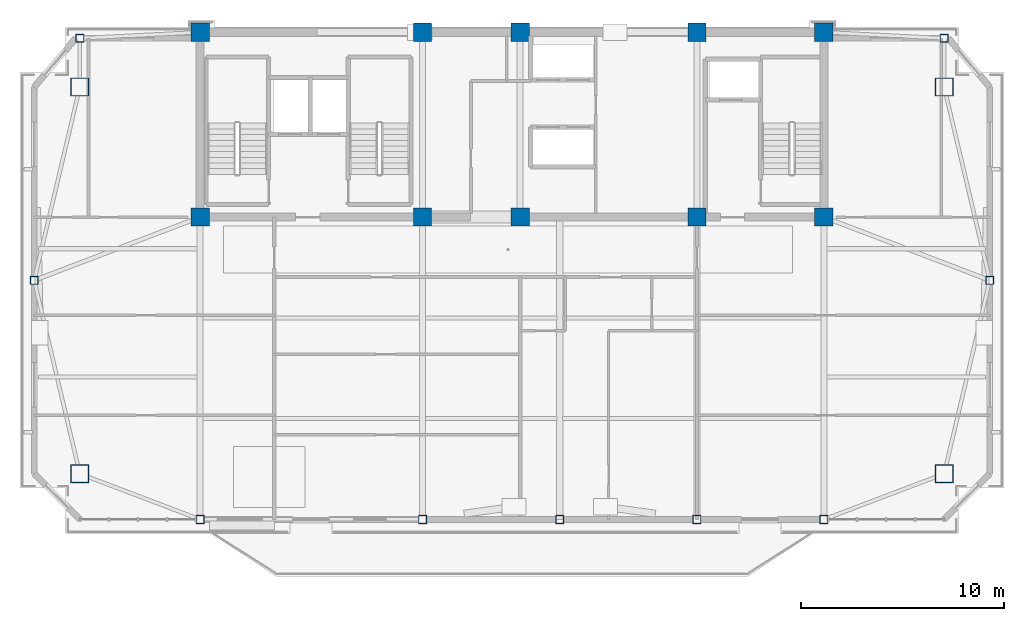
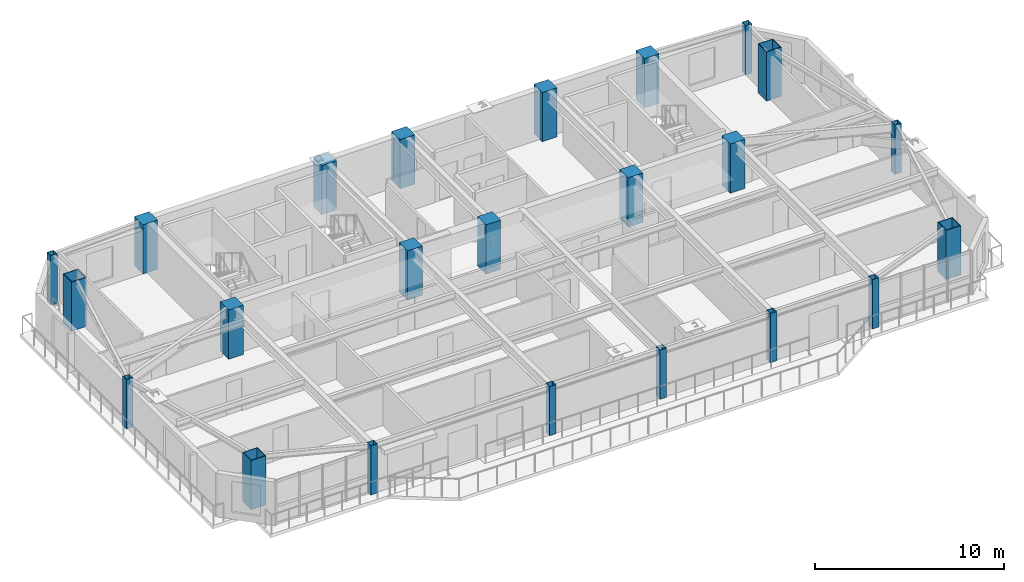
# One storey, part 1 of 12: 23 columns.
"""IFC4 building model written with IfcOpenShell, lengths in metres."""

from ifc_helpers import new_model, si_unit, direction, frame, origin, origin_2d, place, context, subcontext, project, spatial, rectangle, hollow_rectangle, extrude, source, transform, mapped, material, material_profile, profile_set, type_object, element, save


model = new_model("IFC4")

# Units and contexts
model_context = context("Model", 3, precision=1e-05, world=origin(), true_north=direction((0.0, 1.0)))
body_context = subcontext(model_context, "Body", "Model", "MODEL_VIEW")
ifc_project = project(units=[si_unit("LENGTHUNIT", "METRE"), si_unit("AREAUNIT", "SQUARE_METRE"), si_unit("VOLUMEUNIT", "CUBIC_METRE"), si_unit("PLANEANGLEUNIT", "RADIAN"), si_unit("MASSUNIT", "GRAM", prefix="KILO")], contexts=[model_context])

# Site, building, storey
site_placement = place(None, origin())
site = spatial("IfcSite", under=ifc_project, at=site_placement, CompositionType="ELEMENT")
building_placement = place(site_placement, origin())
building = spatial("IfcBuilding", under=site, at=building_placement, Name="Giltprow Tower", CompositionType="ELEMENT")
storey_placement = place(building_placement, frame((0.0, 0.0, 339.10009765625)))
storey = spatial("IfcBuildingStorey", under=building, at=storey_placement, Name="L88", CompositionType="ELEMENT", Elevation=339.10009765625)

# Columns
ifc_material_1 = material(Name="Concrete C45", Category="concrete")
ifc_material_profile_1 = material_profile(ifc_material_1, rectangle(XDim=0.89990234375, YDim=0.89990234375, at=origin_2d()), Name="RC 900x900")
ifc_profile_set_1 = profile_set([ifc_material_profile_1], Name="Concrete C45")
column_type_1 = type_object("IfcColumnType", Name="PIL-RC-900-C45", PredefinedType="PILASTER", material=ifc_profile_set_1)
shared_shape_1 = source(origin(), body_context, "Body", "SweptSolid", [
    extrude(rectangle(XDim=0.89990234375, YDim=0.89990234375, at=origin_2d()), origin(), (0.0, 0.0, 1.0), 3.184814453125),
])
for number, where, z_axis, x_axis, name in (
    (1, (19.85009765625, 37.449951171875, 0.0), (0.0, 0.0, 1.0), (1.0, 0.0, 0.0), "L88 Core Boundary Pilaster 1-1"),
    (2, (19.85009765625, 46.550048828125, 0.0), (0.0, 0.0, 1.0), (1.0, 0.0, 0.0), "L88 Core Boundary Pilaster 1-2"),
    (3, (30.800048828125, 37.449951171875, 0.0), (0.0, 0.0, 1.0), (1.0, 0.0, 0.0), "L88 Core Boundary Pilaster 2-1"),
    (4, (30.800048828125, 46.550048828125, 0.0), (0.0, 0.0, 1.0), (1.0, 0.0, 0.0), "L88 Core Boundary Pilaster 2-2"),
    (5, (35.60009765625, 37.449951171875, 0.0), (0.0, 0.0, 1.0), (1.0, 0.0, 0.0), "L88 Core Boundary Pilaster 3-1"),
    (6, (35.60009765625, 46.550048828125, 0.0), (0.0, 0.0, 1.0), (1.0, 0.0, 0.0), "L88 Core Boundary Pilaster 3-2"),
    (7, (44.300048828125, 37.449951171875, 0.0), (0.0, 0.0, 1.0), (1.0, 0.0, 0.0), "L88 Core Boundary Pilaster 4-1"),
    (8, (44.300048828125, 46.550048828125, 0.0), (0.0, 0.0, 1.0), (1.0, 0.0, 0.0), "L88 Core Boundary Pilaster 4-2"),
    (9, (50.550048828125, 37.449951171875, 0.0), (0.0, 0.0, 1.0), (1.0, 0.0, 0.0), "L88 Core Boundary Pilaster 5-1"),
    (10, (50.550048828125, 46.550048828125, 0.0), (0.0, 0.0, 1.0), (1.0, 0.0, 0.0), "L88 Core Boundary Pilaster 5-2"),
):
    element("IfcColumn", number, at=place(storey_placement, frame(where, z_axis=z_axis, x_axis=x_axis)), inside=storey, type_object=column_type_1, Name=name, PredefinedType="PILASTER", context=body_context, shape_type="MappedRepresentation", body=[
        mapped(shared_shape_1, transform((0.0, 0.0, 0.0), x_axis=(1.0, 0.0, 0.0), y_axis=(0.0, 1.0, 0.0), z_axis=(0.0, 0.0, 1.0), scale=1.0)),
    ])
ifc_material_2 = material(Name="Structural steel Q420GJC", Category="steel")
ifc_material_profile_2 = material_profile(ifc_material_2, hollow_rectangle(XDim=0.89990234375, YDim=0.89990234375, WallThickness=0.0400390625, at=origin_2d()), Name="BOX 900x900x40")
ifc_profile_set_2 = profile_set([ifc_material_profile_2], Name="Structural steel Q420GJC")
column_type_2 = type_object("IfcColumnType", Name="COL-BOX-900x900x40", PredefinedType="COLUMN", material=ifc_profile_set_2)
shared_shape_2 = source(origin(), body_context, "Body", "SweptSolid", [
    extrude(hollow_rectangle(XDim=0.89990234375, YDim=0.89990234375, WallThickness=0.0400390625, at=origin_2d()), origin(), (0.0, 0.0, 1.0), 3.184814453125),
])
for number, where, z_axis, x_axis, name in (
    (11, (13.930908203125, 24.81396484375, 0.0), (0.0, 0.0, 1.0), (1.0, 0.0, 0.0), "L88 Mega-Column MC_SW"),
    (12, (56.468994140625, 24.81396484375, 0.0), (0.0, 0.0, 1.0), (1.0, 0.0, 0.0), "L88 Mega-Column MC_SE"),
    (13, (13.930908203125, 43.85400390625, 0.0), (0.0, 0.0, 1.0), (1.0, 0.0, 0.0), "L88 Mega-Column MC_NW"),
    (14, (56.468994140625, 43.85400390625, 0.0), (0.0, 0.0, 1.0), (1.0, 0.0, 0.0), "L88 Mega-Column MC_NE"),
):
    element("IfcColumn", number, at=place(storey_placement, frame(where, z_axis=z_axis, x_axis=x_axis)), inside=storey, type_object=column_type_2, Name=name, PredefinedType="COLUMN", context=body_context, shape_type="MappedRepresentation", body=[
        mapped(shared_shape_2, transform((0.0, 0.0, 0.0), x_axis=(1.0, 0.0, 0.0), y_axis=(0.0, 1.0, 0.0), z_axis=(0.0, 0.0, 1.0), scale=1.0)),
    ])
ifc_material_3 = material(Name="Structural steel Q355B", Category="steel")
ifc_material_profile_3 = material_profile(ifc_material_3, hollow_rectangle(XDim=0.39990234375, YDim=0.39990234375, WallThickness=0.02001953125, at=origin_2d()), Name="BOX 400x400x20")
ifc_profile_set_3 = profile_set([ifc_material_profile_3], Name="Structural steel Q355B")
column_type_3 = type_object("IfcColumnType", Name="COL-BOX-400x400x20", PredefinedType="COLUMN", material=ifc_profile_set_3)
shared_shape_3 = source(origin(), body_context, "Body", "SweptSolid", [
    extrude(hollow_rectangle(XDim=0.39990234375, YDim=0.39990234375, WallThickness=0.02001953125, at=origin_2d()), origin(), (0.0, 0.0, 1.0), 3.184814453125),
])
for number, where, z_axis, x_axis, name in (
    (15, (19.85009765625, 22.568115234375, 0.0), (0.0, 0.0, 1.0), (1.0, 0.0, 0.0), "L88 Perimeter Column S1"),
    (16, (30.800048828125, 22.568115234375, 0.0), (0.0, 0.0, 1.0), (1.0, 0.0, 0.0), "L88 Perimeter Column S2"),
    (17, (37.550048828125, 22.568115234375, 0.0), (0.0, 0.0, 1.0), (1.0, 0.0, 0.0), "L88 Perimeter Column S_MID"),
    (18, (44.300048828125, 22.568115234375, 0.0), (0.0, 0.0, 1.0), (1.0, 0.0, 0.0), "L88 Perimeter Column S3"),
    (19, (50.550048828125, 22.568115234375, 0.0), (0.0, 0.0, 1.0), (1.0, 0.0, 0.0), "L88 Perimeter Column S4"),
    (20, (11.68505859375, 34.333984375, 0.0), (0.0, 0.0, 1.0), (1.0, 0.0, 0.0), "L88 Perimeter Column W_MID"),
    (21, (58.715087890625, 34.333984375, 0.0), (0.0, 0.0, 1.0), (1.0, 0.0, 0.0), "L88 Perimeter Column E_MID"),
    (22, (13.930908203125, 46.25, 0.0), (0.0, 0.0, 1.0), (1.0, 0.0, 0.0), "L88 Perimeter Column N_W"),
    (23, (56.468994140625, 46.25, 0.0), (0.0, 0.0, 1.0), (1.0, 0.0, 0.0), "L88 Perimeter Column N_E"),
):
    element("IfcColumn", number, at=place(storey_placement, frame(where, z_axis=z_axis, x_axis=x_axis)), inside=storey, type_object=column_type_3, Name=name, PredefinedType="COLUMN", context=body_context, shape_type="MappedRepresentation", body=[
        mapped(shared_shape_3, transform((0.0, 0.0, 0.0), x_axis=(1.0, 0.0, 0.0), y_axis=(0.0, 1.0, 0.0), z_axis=(0.0, 0.0, 1.0), scale=1.0)),
    ])

save(model, "model.ifc")
